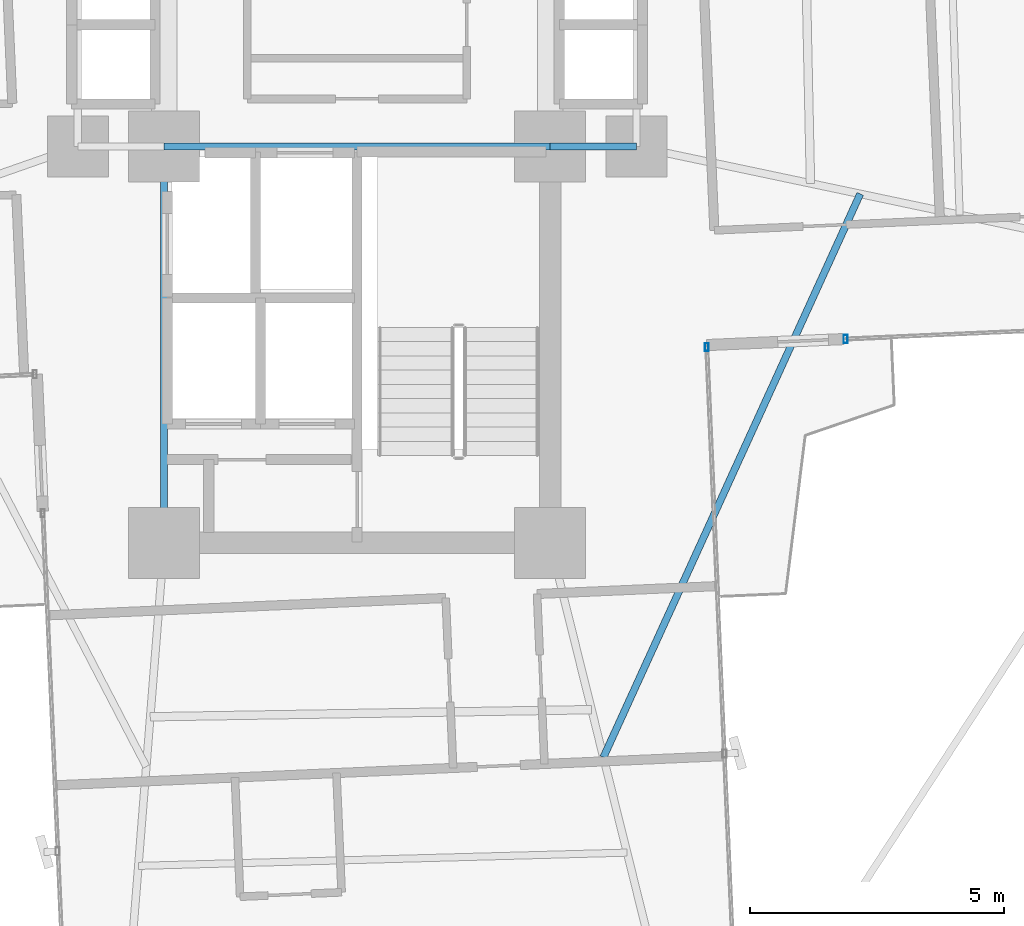
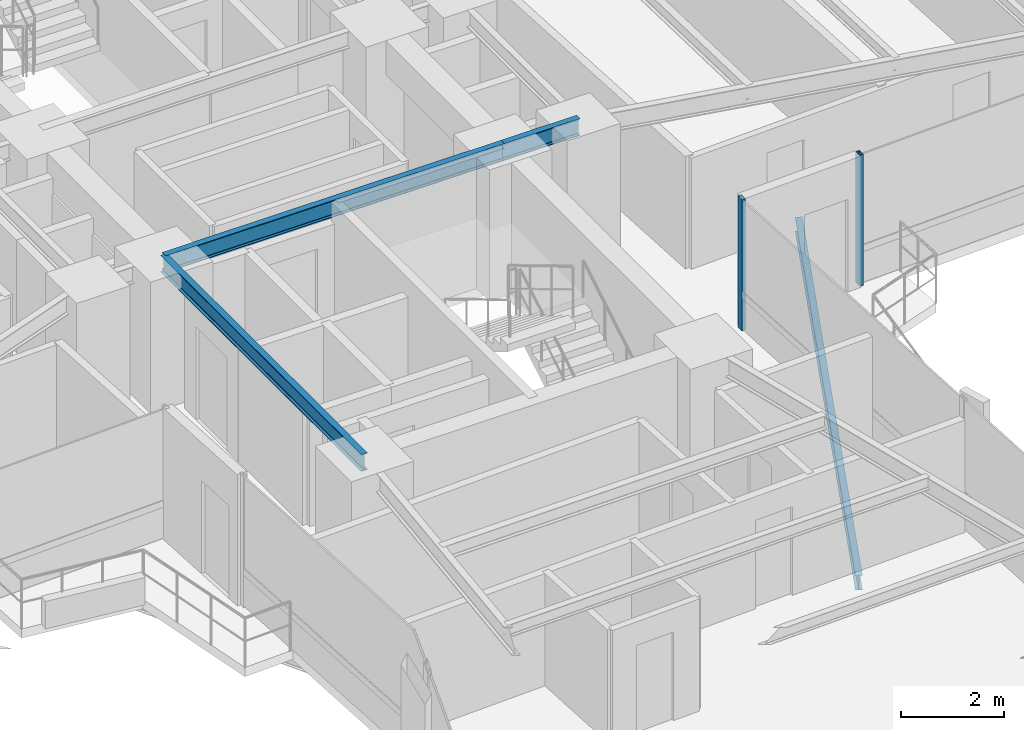
# One storey, part 11 of 26: 4 beams, 2 members, 2 elements without a shape of their own.
"""IFC4 building model written with IfcOpenShell, lengths in metres."""

from ifc_helpers import new_model, si_unit, direction, frame, origin, origin_2d, place, context, subcontext, project, spatial, hollow_rectangle, i_section, extrude, source, transform, mapped, material, material_profile, profile_set, type_object, element, aggregate, save


model = new_model("IFC4")

# Units and contexts
model_context = context("Model", 3, precision=1e-05, world=origin(), true_north=direction((0.0, 1.0)))
body_context = subcontext(model_context, "Body", "Model", "MODEL_VIEW")
ifc_project = project(units=[si_unit("LENGTHUNIT", "METRE"), si_unit("AREAUNIT", "SQUARE_METRE"), si_unit("VOLUMEUNIT", "CUBIC_METRE"), si_unit("PLANEANGLEUNIT", "RADIAN"), si_unit("MASSUNIT", "GRAM", prefix="KILO")], contexts=[model_context])

# Site, building, storey
site_placement = place(None, origin())
site = spatial("IfcSite", under=ifc_project, at=site_placement, CompositionType="ELEMENT")
building_placement = place(site_placement, origin())
building = spatial("IfcBuilding", under=site, at=building_placement, Name="Sahyath Konkavel Grand Hotel", CompositionType="ELEMENT")
storey_placement = place(building_placement, frame((0.0, 0.0, 100.25)))
storey = spatial("IfcBuildingStorey", under=building, at=storey_placement, Name="L27", CompositionType="ELEMENT", Elevation=100.25)

# Beams
ifc_material_1 = material(Name="Steel E350", Category="steel")
ifc_material_profile_1 = material_profile(ifc_material_1, i_section(OverallWidth=0.139892578125, OverallDepth=0.39990234375, WebThickness=0.0087890625, FlangeThickness=0.01611328125, FilletRadius=0.013916015625, at=origin_2d()), Name="ISMB 400")
ifc_profile_set_1 = profile_set([ifc_material_profile_1], Name="Steel E350")
beam_type_1 = type_object("IfcBeamType", Name="BM-ISMB400", PredefinedType="BEAM", material=ifc_profile_set_1)
shared_shape_1 = source(origin(), body_context, "Body", "SweptSolid", [
    extrude(i_section(OverallWidth=0.139892578125, OverallDepth=0.39990234375, WebThickness=0.0087890625, FlangeThickness=0.01611328125, FilletRadius=0.013916015625, at=origin_2d()), origin(), (0.0, 0.0, 1.0), 7.60009765625),
])
beam_1_placement = place(storey_placement, frame((-3.800048828125, -2.39990234375, 2.909912109375), z_axis=(1.0, 0.0, 0.0), x_axis=(0.0, 1.0, 0.0)))
element("IfcBeam", 1, at=beam_1_placement, inside=storey, type_object=beam_type_1, Name="str:bm:L27:SC-N", PredefinedType="BEAM", context=body_context, shape_type="MappedRepresentation", body=[
    mapped(shared_shape_1, transform((0.0, 0.0, 0.0), scale=1.0)),
])
shared_shape_2 = source(origin(), body_context, "Body", "SweptSolid", [
    extrude(i_section(OverallWidth=0.139892578125, OverallDepth=0.39990234375, WebThickness=0.0087890625, FlangeThickness=0.01611328125, FilletRadius=0.013916015625, at=origin_2d()), origin(), (0.0, 0.0, 1.0), 7.800048828125),
])
beam_2_placement = place(storey_placement, frame((-3.800048828125, -10.199951171875, 2.909912109375), z_axis=(0.0, 1.0, 0.0), x_axis=(-1.0, 0.0, 0.0)))
element("IfcBeam", 2, at=beam_2_placement, inside=storey, type_object=beam_type_1, Name="str:bm:L27:SC-W", PredefinedType="BEAM", context=body_context, shape_type="MappedRepresentation", body=[
    mapped(shared_shape_2, transform((0.0, 0.0, 0.0), scale=1.0)),
])
shared_shape_3 = source(origin(), body_context, "Body", "SweptSolid", [
    extrude(i_section(OverallWidth=0.139892578125, OverallDepth=0.39990234375, WebThickness=0.0087890625, FlangeThickness=0.01611328125, FilletRadius=0.013916015625, at=origin_2d()), origin(), (0.0, 0.0, 1.0), 1.699951171875),
])
beam_3_placement = place(storey_placement, frame((3.800048828125, -2.39990234375, 2.909912109375), z_axis=(1.0, 0.0, 0.0), x_axis=(0.0, 1.0, 0.0)))
element("IfcBeam", 3, at=beam_3_placement, inside=storey, type_object=beam_type_1, Name="str:bm:L27:HB-SE", PredefinedType="BEAM", context=body_context, shape_type="MappedRepresentation", body=[
    mapped(shared_shape_3, transform((0.0, 0.0, 0.0), scale=1.0)),
])

# Curtain wall, member
ifc_material_2 = material(Name="Anodised Bronze Aluminium & Low-E Glazing", Category="aluminium")
curtain_wall_type = type_object("IfcCurtainWallType", Name="CW-ZONE2", PredefinedType="NOTDEFINED", material=ifc_material_2)
curtain_wall_1_placement = place(storey_placement, origin())
curtain_wall_1 = element("IfcCurtainWall", 4, at=curtain_wall_1_placement, inside=storey, type_object=curtain_wall_type, Name="L27 Unitised Curtain Wall F0", PredefinedType="NOTDEFINED")
ifc_material_3 = material(Name="Anodised Bronze Aluminium", Category="aluminium")
ifc_material_profile_2 = material_profile(ifc_material_3, hollow_rectangle(XDim=0.080078125, YDim=0.159912109375, WallThickness=0.006103515625, at=origin_2d()), Name="RHS 160x80x6")
ifc_profile_set_2 = profile_set([ifc_material_profile_2], Name="Anodised Bronze Aluminium")
member_type = type_object("IfcMemberType", Name="CW-MUL-160", PredefinedType="MULLION", material=ifc_profile_set_2)
shared_shape_4 = source(origin(), body_context, "Body", "SweptSolid", [
    extrude(hollow_rectangle(XDim=0.080078125, YDim=0.159912109375, WallThickness=0.006103515625, at=origin_2d()), origin(), (0.0, 0.0, 1.0), 3.110107421875),
])
member_1_placement = place(storey_placement, frame((9.618896484375, -6.186279296875, 0.0), z_axis=(0.0, 0.0, 1.0), x_axis=(1.0, 0.0, 0.0)))
member_1 = element("IfcMember", 5, at=member_1_placement, type_object=member_type, Name="L27 Curtain Wall Mullion F0-0", PredefinedType="MULLION", context=body_context, shape_type="MappedRepresentation", body=[
    mapped(shared_shape_4, transform((0.0, 0.0, 0.0), scale=1.0)),
])
aggregate(curtain_wall_1, [member_1])

curtain_wall_2_placement = place(storey_placement, origin())
curtain_wall_2 = element("IfcCurtainWall", 6, at=curtain_wall_2_placement, inside=storey, type_object=curtain_wall_type, Name="L27 Unitised Curtain Wall F31", PredefinedType="NOTDEFINED")
member_2_placement = place(storey_placement, frame((6.88330078125, -6.345703125, 0.0), z_axis=(0.0, 0.0, 1.0), x_axis=(1.0, 0.0, 0.0)))
member_2 = element("IfcMember", 7, at=member_2_placement, type_object=member_type, Name="L27 Curtain Wall Mullion F31-2", PredefinedType="MULLION", context=body_context, shape_type="MappedRepresentation", body=[
    mapped(shared_shape_4, transform((0.0, 0.0, 0.0), scale=1.0)),
])
aggregate(curtain_wall_2, [member_2])

# Beam
ifc_material_profile_3 = material_profile(ifc_material_1, i_section(OverallWidth=0.139892578125, OverallDepth=0.35009765625, WebThickness=0.008056640625, FlangeThickness=0.01416015625, FilletRadius=0.013916015625, at=origin_2d()), Name="ISMB 350")
ifc_profile_set_3 = profile_set([ifc_material_profile_3], Name="Steel E350")
beam_type_2 = type_object("IfcBeamType", Name="BM-BALC-CANT", PredefinedType="BEAM", material=ifc_profile_set_3)
shared_shape_5 = source(origin(), body_context, "Body", "SweptSolid", [
    extrude(i_section(OverallWidth=0.139892578125, OverallDepth=0.35009765625, WebThickness=0.008056640625, FlangeThickness=0.01416015625, FilletRadius=0.013916015625, at=origin_2d()), origin(), (0.0, 0.0, 1.0), 12.190673828125),
])
beam_4_placement = place(storey_placement, frame((4.8486328125, -14.422119140625, -0.4150390625), z_axis=(0.414712580086, 0.909952458054, 0.0), x_axis=(-0.909952458054, 0.414712580086, 0.0)))
element("IfcBeam", 8, at=beam_4_placement, inside=storey, type_object=beam_type_2, Name="L27 Balcony Cantilever Support Beam SE", PredefinedType="BEAM", context=body_context, shape_type="MappedRepresentation", body=[
    mapped(shared_shape_5, transform((0.0, 0.0, 0.0), scale=1.0)),
])

save(model, "model.ifc")
